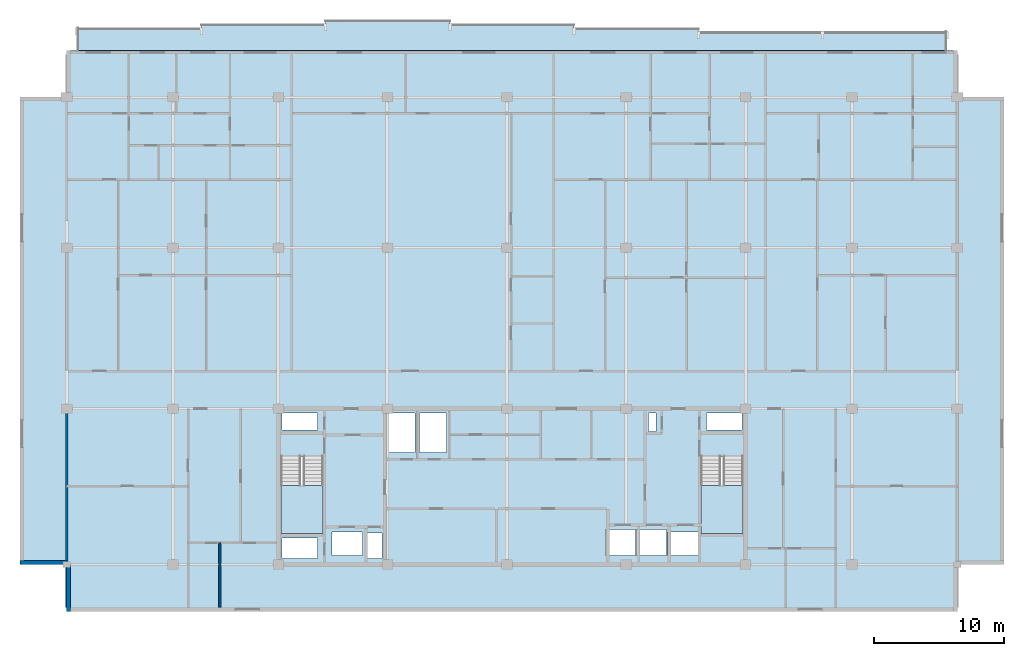
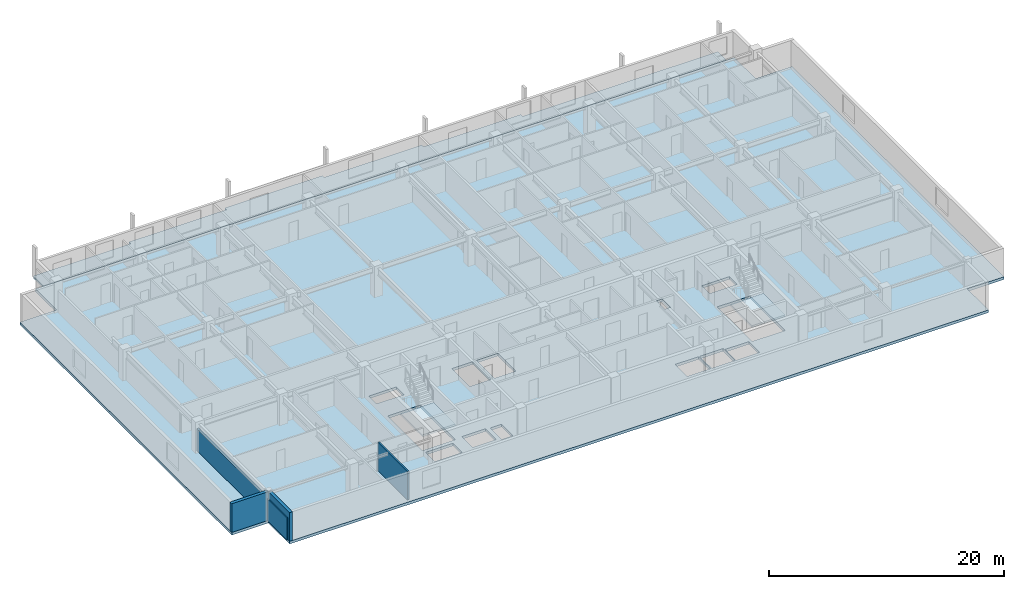
# One storey, part 2 of 10: 4 slabs, 4 walls, 2 elements without a shape of their own.
"""IFC4 building model written with IfcOpenShell, lengths in metres."""

from ifc_helpers import new_model, si_unit, direction, frame, frame_2d, origin, place, context, subcontext, project, spatial, polyline, rectangle, outline, extrude, material, layer, layer_set, type_object, element, aggregate, save


model = new_model("IFC4")

# Units and contexts
model_context = context("Model", 3, precision=1e-05, world=origin(), true_north=direction((0.0, 1.0)))
body_context = subcontext(model_context, "Body", "Model", "MODEL_VIEW")
ifc_project = project(units=[si_unit("LENGTHUNIT", "METRE"), si_unit("AREAUNIT", "SQUARE_METRE"), si_unit("VOLUMEUNIT", "CUBIC_METRE"), si_unit("PLANEANGLEUNIT", "RADIAN"), si_unit("MASSUNIT", "GRAM", prefix="KILO")], contexts=[model_context])

# Site, building, storey
site_placement = place(None, origin())
site = spatial("IfcSite", under=ifc_project, at=site_placement, CompositionType="ELEMENT")
building_placement = place(site_placement, origin())
building = spatial("IfcBuilding", under=site, at=building_placement, Name="Korimba Cascade Residences", CompositionType="ELEMENT")
storey_placement = place(building_placement, frame((0.0, 0.0, 214.10009765625)))
storey = spatial("IfcBuildingStorey", under=building, at=storey_placement, Name="L62", CompositionType="ELEMENT", Elevation=214.10009765625)

# Stair, slab
ifc_material_1 = material(Name="Concrete C50/60", Category="concrete")
stair_type_1 = type_object("IfcStairType", Name="STR-W1-18R-1806", PredefinedType="HALF_TURN_STAIR", material=ifc_material_1)
stair_1_placement = place(storey_placement, origin())
stair_1 = element("IfcStair", 1, at=stair_1_placement, inside=storey, type_object=stair_type_1, Name="L62 Tower 1 West Fire Stair ST-W1", PredefinedType="HALF_TURN_STAIR")
ifc_layer_1 = layer(ifc_material_1, 0.199951171875)
ifc_layer_set_1 = layer_set([ifc_layer_1], Name="Concrete C50/60")
slab_type_1 = type_object("IfcSlabType", Name="SLB-LND-220", PredefinedType="LANDING", material=ifc_layer_set_1)
slab_1_placement = place(storey_placement, frame((0.0, 0.0, 1.4248046875)))
slab_1 = element("IfcSlab", 2, at=slab_1_placement, type_object=slab_type_1, Name="ST-W1 landing 1", PredefinedType="LANDING", context=body_context, shape_type="SweptSolid", body=[
    extrude(outline(polyline([(76.300048828125, 61.31005859375), (76.300048828125, 57.60009765625), (79.5400390625, 57.60009765625), (79.5400390625, 61.31005859375), (76.300048828125, 61.31005859375)])), origin(), (0.0, 0.0, 1.0), 0.2001953125),
])
aggregate(stair_1, [slab_1])

stair_type_2 = type_object("IfcStairType", Name="STR-W2-18R-1806", PredefinedType="HALF_TURN_STAIR", material=ifc_material_1)
stair_2_placement = place(storey_placement, origin())
stair_2 = element("IfcStair", 3, at=stair_2_placement, inside=storey, type_object=stair_type_2, Name="L62 Tower 1 East Fire Stair ST-W2", PredefinedType="HALF_TURN_STAIR")
slab_2_placement = place(storey_placement, frame((0.0, 0.0, 1.4248046875)))
slab_2 = element("IfcSlab", 4, at=slab_2_placement, type_object=slab_type_1, Name="ST-W2 landing 1", PredefinedType="LANDING", context=body_context, shape_type="SweptSolid", body=[
    extrude(outline(polyline([(108.659912109375, 61.31005859375), (108.659912109375, 57.60009765625), (111.89990234375, 57.60009765625), (111.89990234375, 61.31005859375), (108.659912109375, 61.31005859375)])), origin(), (0.0, 0.0, 1.0), 0.2001953125),
])
aggregate(stair_2, [slab_2])

# Slabs
ifc_material_2 = material(Name="Precast concrete C40/50", Category="concrete")
ifc_layer_2 = layer(ifc_material_2, 0.239990234375)
ifc_layer_set_2 = layer_set([ifc_layer_2], Name="Precast concrete C40/50")
slab_type_2 = type_object("IfcSlabType", Name="SLB-LOG-240", PredefinedType="FLOOR", material=ifc_layer_set_2)
slab_3_placement = place(storey_placement, frame((0.0, 0.0, -0.239990234375)))
element("IfcSlab", 5, at=slab_3_placement, inside=storey, type_object=slab_type_2, Name="L62 Tower 1 North Loggia Slab", PredefinedType="FLOOR", context=body_context, shape_type="SweptSolid", body=[
    extrude(outline(polyline([(60.60009765625, 94.800048828125), (127.60009765625, 94.800048828125), (127.60009765625, 96.25), (108.45703125, 96.25), (108.45703125, 96.550048828125), (98.8857421875, 96.550048828125), (98.8857421875, 96.85009765625), (89.314208984375, 96.85009765625), (89.314208984375, 97.14990234375), (79.742919921875, 97.14990234375), (79.742919921875, 96.85009765625), (70.17138671875, 96.85009765625), (70.17138671875, 96.550048828125), (60.60009765625, 96.550048828125), (60.60009765625, 94.800048828125)])), origin(), (0.0, 0.0, 1.0), 0.239990234375),
])
ifc_layer_3 = layer(ifc_material_1, 0.280029296875)
ifc_layer_set_3 = layer_set([ifc_layer_3], Name="Concrete C50/60")
slab_type_3 = type_object("IfcSlabType", Name="SLB-TYP-280", PredefinedType="FLOOR", material=ifc_layer_set_3)
slab_4_placement = place(storey_placement, frame((0.0, 0.0, -0.280029296875)))
element("IfcSlab", 6, at=slab_4_placement, inside=storey, type_object=slab_type_3, Name="L62 Tower 1 Floor Slab", PredefinedType="FLOOR", context=body_context, shape_type="SweptSolid", body=[
    extrude(outline(polyline([(59.800048828125, 51.60009765625), (128.39990234375, 51.60009765625), (128.39990234375, 55.199951171875), (132.0, 55.199951171875), (132.0, 91.199951171875), (128.39990234375, 91.199951171875), (128.39990234375, 94.800048828125), (59.800048828125, 94.800048828125), (59.800048828125, 91.199951171875), (56.199951171875, 91.199951171875), (56.199951171875, 55.199951171875), (59.800048828125, 55.199951171875), (59.800048828125, 51.60009765625)]), holes=[polyline([(76.300048828125, 63.514892578125), (76.300048828125, 57.60009765625), (79.5400390625, 57.60009765625), (79.5400390625, 63.514892578125), (76.300048828125, 63.514892578125)]), polyline([(108.659912109375, 63.514892578125), (108.659912109375, 57.60009765625), (111.89990234375, 57.60009765625), (111.89990234375, 63.514892578125), (108.659912109375, 63.514892578125)]), polyline([(80.22998046875, 55.8798828125), (82.570068359375, 55.8798828125), (82.570068359375, 57.719970703125), (80.22998046875, 57.719970703125), (80.22998046875, 55.8798828125)]), polyline([(106.080078125, 55.8798828125), (108.419921875, 55.8798828125), (108.419921875, 57.719970703125), (106.080078125, 57.719970703125), (106.080078125, 55.8798828125)]), polyline([(101.304931640625, 55.8798828125), (103.594970703125, 55.8798828125), (103.594970703125, 57.919921875), (101.304931640625, 57.919921875), (101.304931640625, 55.8798828125)]), polyline([(103.705078125, 55.8798828125), (105.9951171875, 55.8798828125), (105.9951171875, 57.919921875), (103.705078125, 57.919921875), (103.705078125, 55.8798828125)]), polyline([(82.97998046875, 55.679931640625), (84.080078125, 55.679931640625), (84.080078125, 57.6201171875), (82.97998046875, 57.6201171875), (82.97998046875, 55.679931640625)]), polyline([(76.39990234375, 65.56005859375), (79.10009765625, 65.56005859375), (79.10009765625, 66.8798828125), (76.39990234375, 66.8798828125), (76.39990234375, 65.56005859375)]), polyline([(76.39990234375, 55.679931640625), (79.10009765625, 55.679931640625), (79.10009765625, 57.239990234375), (76.39990234375, 57.239990234375), (76.39990234375, 55.679931640625)]), polyline([(84.530029296875, 63.820068359375), (86.6201171875, 63.820068359375), (86.6201171875, 66.8798828125), (84.530029296875, 66.8798828125), (84.530029296875, 63.820068359375)]), polyline([(86.97998046875, 63.820068359375), (89.070068359375, 63.820068359375), (89.070068359375, 66.8798828125), (86.97998046875, 66.8798828125), (86.97998046875, 63.820068359375)]), polyline([(104.6201171875, 65.4599609375), (105.179931640625, 65.4599609375), (105.179931640625, 66.8798828125), (104.6201171875, 66.8798828125), (104.6201171875, 65.4599609375)]), polyline([(109.080078125, 65.56005859375), (111.800048828125, 65.56005859375), (111.800048828125, 66.8798828125), (109.080078125, 66.8798828125), (109.080078125, 65.56005859375)])]), origin(), (0.0, 0.0, 1.0), 0.280029296875),
])

# Walls
ifc_layer_4 = layer(ifc_material_2, 0.300048828125)
ifc_layer_set_4 = layer_set([ifc_layer_4], Name="Precast concrete C40/50")
wall_type_1 = type_object("IfcWallType", Name="EW-STONE-300", PredefinedType="STANDARD", material=ifc_layer_set_4)
wall_1_placement = place(storey_placement, frame((56.199951171875, 55.35009765625, 0.0), z_axis=(0.0, 0.0, 1.0), x_axis=(1.0, 0.0, 0.0)))
element("IfcWall", 7, at=wall_1_placement, inside=storey, type_object=wall_type_1, Name="L62 T1 Perimeter Stone Wall E10", PredefinedType="STANDARD", context=body_context, shape_type="SweptSolid", body=[
    extrude(rectangle(XDim=3.60009765625, YDim=0.300048828125, at=frame_2d((1.800048828125, 0.0))), origin(), (0.0, 0.0, 1.0), 2.969970703125),
])
wall_2_placement = place(storey_placement, frame((59.949951171875, 55.199951171875, 0.0), z_axis=(0.0, 0.0, 1.0), x_axis=(0.0, -1.0, 0.0)))
element("IfcWall", 8, at=wall_2_placement, inside=storey, type_object=wall_type_1, Name="L62 T1 Perimeter Stone Wall E11", PredefinedType="STANDARD", context=body_context, shape_type="SweptSolid", body=[
    extrude(rectangle(XDim=3.599853515625, YDim=0.300048828125, at=frame_2d((1.7998046875, 0.0))), origin(), (0.0, 0.0, 1.0), 2.969970703125),
])
ifc_layer_5 = layer(ifc_material_2, 0.199951171875)
ifc_layer_set_5 = layer_set([ifc_layer_5], Name="Precast concrete C40/50")
wall_type_2 = type_object("IfcWallType", Name="WAL-IT-200", PredefinedType="PARTITIONING", material=ifc_layer_set_5)
wall_3_placement = place(storey_placement, frame((59.800048828125, 51.89990234375, 0.0), z_axis=(0.0, 0.0, 1.0), x_axis=(0.0, 1.0, 0.0)))
element("IfcWall", 9, at=wall_3_placement, inside=storey, type_object=wall_type_2, Name="L62 Partition Wall WAL-L62-T1-FW-WL", PredefinedType="PARTITIONING", context=body_context, shape_type="SweptSolid", body=[
    extrude(rectangle(XDim=15.300048828125, YDim=0.199951171875, at=frame_2d((7.64990234375, 0.0))), origin(), (0.0, 0.0, 1.0), 2.277099609375),
])
ifc_material_3 = material(Name="Insulated Acoustic Stud Partition", Category="gypsum")
ifc_layer_6 = layer(ifc_material_3, 0.14990234375)
ifc_layer_set_6 = layer_set([ifc_layer_6], Name="Insulated Acoustic Stud Partition")
wall_type_3 = type_object("IfcWallType", Name="WAL-PART-150", PredefinedType="PARTITIONING", material=ifc_layer_set_6)
wall_4_placement = place(storey_placement, frame((71.60009765625, 51.89990234375, 0.0), z_axis=(0.0, 0.0, 1.0), x_axis=(0.0, 1.0, 0.0)))
element("IfcWall", 10, at=wall_4_placement, inside=storey, type_object=wall_type_3, Name="L62 Partition Wall WAL-L62-T1-FW-VS", PredefinedType="PARTITIONING", context=body_context, shape_type="SweptSolid", body=[
    extrude(rectangle(XDim=4.97021484375, YDim=0.14990234375, at=frame_2d((2.485107421875, 0.0))), origin(), (0.0, 0.0, 1.0), 2.969970703125),
])

save(model, "model.ifc")
